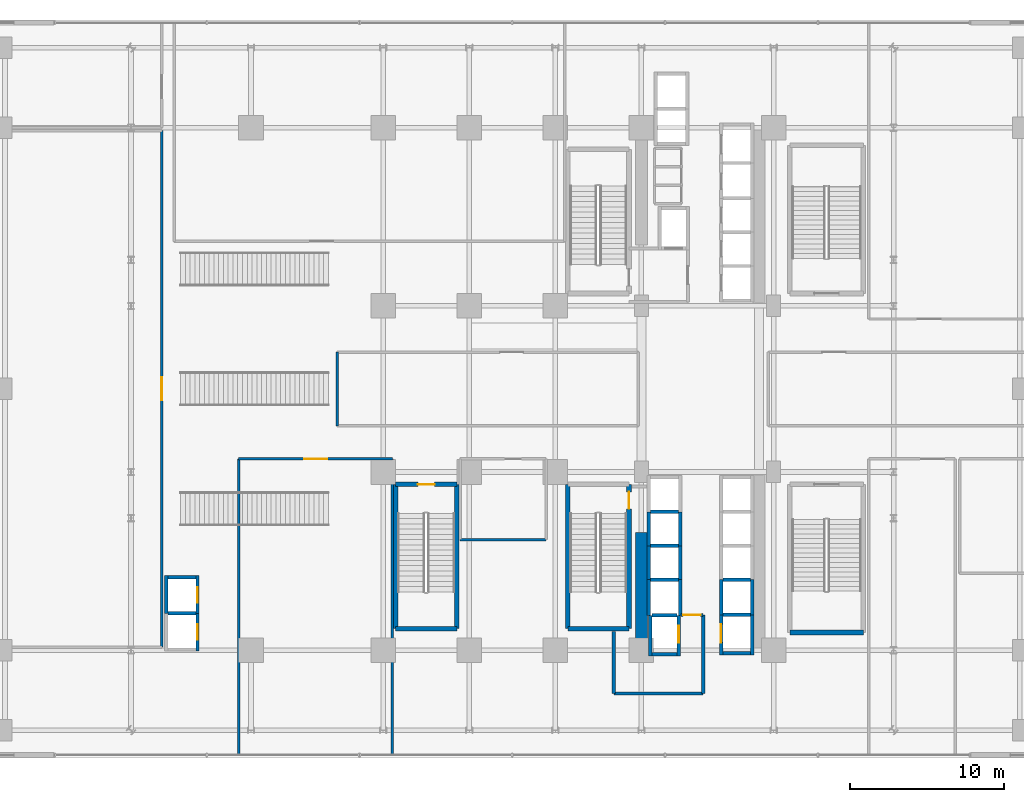
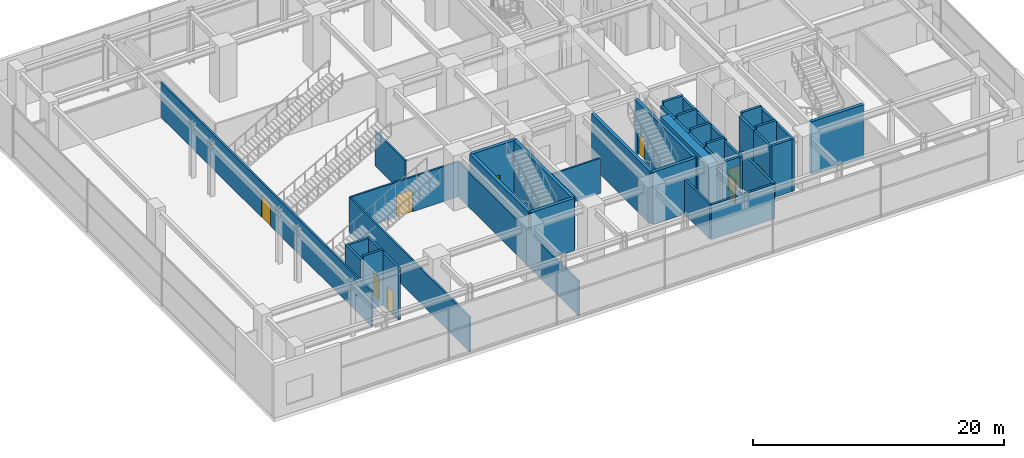
# One storey, part 27 of 34: 44 walls, 9 doors, 9 openings.
"""IFC4 building model written with IfcOpenShell, lengths in metres."""

from ifc_helpers import new_model, si_unit, direction, frame, frame_2d, origin, place, context, subcontext, project, spatial, rectangle, extrude, source, transform, mapped, material, layer, layer_set, type_object, element, fill, save


model = new_model("IFC4")

# Units and contexts
model_context = context("Model", 3, precision=1e-05, world=origin(), true_north=direction((0.0, 1.0)))
body_context = subcontext(model_context, "Body", "Model", "MODEL_VIEW")
ifc_project = project(units=[si_unit("LENGTHUNIT", "METRE"), si_unit("AREAUNIT", "SQUARE_METRE"), si_unit("VOLUMEUNIT", "CUBIC_METRE"), si_unit("PLANEANGLEUNIT", "RADIAN"), si_unit("MASSUNIT", "GRAM", prefix="KILO")], contexts=[model_context])

# Site, building, storey
site_placement = place(None, origin())
site = spatial("IfcSite", under=ifc_project, at=site_placement, CompositionType="ELEMENT")
building_placement = place(site_placement, origin())
building = spatial("IfcBuilding", under=site, at=building_placement, Name="Nahalor Promenade Grand Hotel", CompositionType="ELEMENT")
storey_placement = place(building_placement, frame((0.0, 0.0, 16.199951171875)))
storey = spatial("IfcBuildingStorey", under=building, at=storey_placement, Name="L03", CompositionType="ELEMENT", Elevation=16.199951171875)

# Walls
ifc_material_1 = material(Name="Concrete B-70 (C60/75)", Category="concrete")
ifc_layer_1 = layer(ifc_material_1, 0.800048828125)
ifc_layer_set_1 = layer_set([ifc_layer_1], Name="Concrete B-70 (C60/75)")
wall_type_1 = type_object("IfcWallType", Name="Wall-CoreShear-800", PredefinedType="SHEAR", material=ifc_layer_set_1)
shared_shape_1 = source(origin(), body_context, "Body", "SweptSolid", [
    extrude(rectangle(XDim=7.64990234375, YDim=0.800048828125, at=frame_2d((3.824951171875, 0.0))), origin(), (0.0, 0.0, 1.0), 5.080078125),
])
wall_1_placement = place(storey_placement, frame((8.39990234375, -17.0, 0.0), z_axis=(0.0, 0.0, 1.0), x_axis=(0.0, 1.0, 0.0)))
element("IfcWall", 1, at=wall_1_placement, inside=storey, type_object=wall_type_1, Name="CWALL-L03-SW", PredefinedType="SHEAR", context=body_context, shape_type="MappedRepresentation", body=[
    mapped(shared_shape_1, transform((0.0, 0.0, 0.0), scale=1.0)),
])
ifc_material_2 = material(Name="Concrete B-50 (C40/50)", Category="concrete")
ifc_layer_2 = layer(ifc_material_2, 0.300048828125)
ifc_layer_set_2 = layer_set([ifc_layer_2], Name="Concrete B-50 (C40/50)")
wall_type_2 = type_object("IfcWallType", Name="Wall-ShaftShear-300", PredefinedType="SHEAR", material=ifc_layer_set_2)
shared_shape_2 = source(origin(), body_context, "Body", "SweptSolid", [
    extrude(rectangle(XDim=3.97998046875, YDim=0.300048828125, at=frame_2d((1.989990234375, 0.0))), origin(), (0.0, 0.0, 1.0), 5.080078125),
])
for number, where, z_axis, x_axis, name in (
    (2, (3.610107421875, -15.590087890625, 0.0), (0.0, 0.0, 1.0), (1.0, 0.0, 0.0), "L03 Exit Stair ST2 Shaft Wall S"),
    (3, (-7.590087890625, -15.590087890625, 0.0), (0.0, 0.0, 1.0), (1.0, 0.0, 0.0), "L03 Exit Stair ST3 Shaft Wall S"),
):
    element("IfcWall", number, at=place(storey_placement, frame(where, z_axis=z_axis, x_axis=x_axis)), inside=storey, type_object=wall_type_2, Name=name, PredefinedType="SHEAR", context=body_context, shape_type="MappedRepresentation", body=[
        mapped(shared_shape_2, transform((0.0, 0.0, 0.0), scale=1.0)),
    ])

# Wall, opening, door
wall_2_placement = place(storey_placement, frame((-7.590087890625, -6.2099609375, 0.0), z_axis=(0.0, 0.0, 1.0), x_axis=(1.0, 0.0, 0.0)))
wall_2 = element("IfcWall", 4, at=wall_2_placement, inside=storey, type_object=wall_type_2, Name="L03 Exit Stair ST3 Shaft Wall N", PredefinedType="SHEAR", context=body_context, shape_type="MappedRepresentation", body=[
    mapped(shared_shape_2, transform((0.0, 0.0, 0.0), scale=1.0)),
])
opening_1_placement = place(wall_2_placement, frame((1.43994140625, 0.0, 0.0)))
opening_1 = element("IfcOpeningElement", 5, at=opening_1_placement, cuts=wall_2, Name="Opening D-ST1", PredefinedType="OPENING", context=body_context, shape_type="SweptSolid", body=[
    extrude(rectangle(XDim=1.10009765625, YDim=2.14990234375, at=frame_2d((0.550048828125, 1.074951171875))), frame((0.0, 0.159912109375, 0.0), z_axis=(0.0, -1.0, 0.0), x_axis=(1.0, 0.0, 0.0)), (0.0, 0.0, 1.0), 0.320068359375),
])
ifc_material_3 = material(Name="Steel S355JR", Category="steel")
door_type_1 = type_object("IfcDoorType", Name="Door-StairFire-1100", OperationType="NOTDEFINED", PredefinedType="DOOR", material=ifc_material_3)
shared_shape_3 = source(origin(), body_context, "Body", "SweptSolid", [
    extrude(rectangle(XDim=1.10009765625, YDim=2.14990234375, at=frame_2d((0.550048828125, 1.074951171875))), frame((0.0, 0.02490234375, 0.0), z_axis=(0.0, -1.0, 0.0), x_axis=(1.0, 0.0, 0.0)), (0.0, 0.0, 1.0), 0.050048828125),
])
door_1_placement = place(opening_1_placement, frame((1.10009765625, 0.0, 0.0), z_axis=(0.0, 0.0, 1.0), x_axis=(-1.0, 0.0, 0.0)))
door_1 = element("IfcDoor", 6, at=door_1_placement, inside=storey, type_object=door_type_1, Name="DR-STAIR-ST3-L03", OperationType="SINGLE_SWING_RIGHT", OverallHeight=2.14990234375, OverallWidth=1.10009765625, PredefinedType="DOOR", context=body_context, shape_type="MappedRepresentation", body=[
    mapped(shared_shape_3, transform((0.0, 0.0, 0.0), scale=1.0)),
])
fill(opening_1, door_1)

# Wall
shared_shape_4 = source(origin(), body_context, "Body", "SweptSolid", [
    extrude(rectangle(XDim=9.380126953125, YDim=0.300048828125, at=frame_2d((4.68994140625, 0.0))), origin(), (0.0, 0.0, 1.0), 5.080078125),
])
wall_3_placement = place(storey_placement, frame((3.610107421875, -15.590087890625, 0.0), z_axis=(0.0, 0.0, 1.0), x_axis=(0.0, 1.0, 0.0)))
element("IfcWall", 7, at=wall_3_placement, inside=storey, type_object=wall_type_2, Name="L03 Exit Stair ST2 Shaft Wall W", PredefinedType="SHEAR", context=body_context, shape_type="MappedRepresentation", body=[
    mapped(shared_shape_4, transform((0.0, 0.0, 0.0), scale=1.0)),
])

# Wall, opening, door
wall_4_placement = place(storey_placement, frame((7.590087890625, -15.590087890625, 0.0), z_axis=(0.0, 0.0, 1.0), x_axis=(0.0, 1.0, 0.0)))
wall_4 = element("IfcWall", 8, at=wall_4_placement, inside=storey, type_object=wall_type_2, Name="L03 Exit Stair ST2 Shaft Wall E", PredefinedType="SHEAR", context=body_context, shape_type="MappedRepresentation", body=[
    mapped(shared_shape_4, transform((0.0, 0.0, 0.0), scale=1.0)),
])
opening_2_placement = place(wall_4_placement, frame((7.7900390625, 0.0, 0.0)))
opening_2 = element("IfcOpeningElement", 9, at=opening_2_placement, cuts=wall_4, Name="Opening D-ST1", PredefinedType="OPENING", context=body_context, shape_type="SweptSolid", body=[
    extrude(rectangle(XDim=1.10009765625, YDim=2.14990234375, at=frame_2d((0.550048828125, 1.074951171875))), frame((0.0, 0.159912109375, 0.0), z_axis=(0.0, -1.0, 0.0), x_axis=(1.0, 0.0, 0.0)), (0.0, 0.0, 1.0), 0.320068359375),
])
door_2_placement = place(opening_2_placement, origin())
door_2 = element("IfcDoor", 10, at=door_2_placement, inside=storey, type_object=door_type_1, Name="DR-STAIR-ST2-L03", OperationType="SINGLE_SWING_RIGHT", OverallHeight=2.14990234375, OverallWidth=1.10009765625, PredefinedType="DOOR", context=body_context, shape_type="MappedRepresentation", body=[
    mapped(shared_shape_3, transform((0.0, 0.0, 0.0), scale=1.0)),
])
fill(opening_2, door_2)

# Walls
for number, where, z_axis, x_axis, name in (
    (11, (-7.590087890625, -15.590087890625, 0.0), (0.0, 0.0, 1.0), (0.0, 1.0, 0.0), "L03 Exit Stair ST3 Shaft Wall W"),
    (12, (-3.610107421875, -15.590087890625, 0.0), (0.0, 0.0, 1.0), (0.0, 1.0, 0.0), "L03 Exit Stair ST3 Shaft Wall E"),
):
    element("IfcWall", number, at=place(storey_placement, frame(where, z_axis=z_axis, x_axis=x_axis)), inside=storey, type_object=wall_type_2, Name=name, PredefinedType="SHEAR", context=body_context, shape_type="MappedRepresentation", body=[
        mapped(shared_shape_4, transform((0.0, 0.0, 0.0), scale=1.0)),
    ])
shared_shape_5 = source(origin(), body_context, "Body", "SweptSolid", [
    extrude(rectangle(XDim=4.780029296875, YDim=0.300048828125, at=frame_2d((2.39013671875, 0.0))), origin(), (0.0, 0.0, 1.0), 5.080078125),
])
wall_5_placement = place(storey_placement, frame((18.06005859375, -15.840087890625, 0.0), z_axis=(0.0, 0.0, 1.0), x_axis=(1.0, 0.0, 0.0)))
element("IfcWall", 13, at=wall_5_placement, inside=storey, type_object=wall_type_2, Name="L03 Exit Stair ST5 Shaft Wall S", PredefinedType="SHEAR", context=body_context, shape_type="MappedRepresentation", body=[
    mapped(shared_shape_5, transform((0.0, 0.0, 0.0), scale=1.0)),
])
ifc_layer_3 = layer(ifc_material_2, 0.219970703125)
ifc_layer_set_3 = layer_set([ifc_layer_3], Name="Concrete B-50 (C40/50)")
wall_type_3 = type_object("IfcWallType", Name="Wall-LiftShaft-220", PredefinedType="SHEAR", material=ifc_layer_set_3)
shared_shape_6 = source(origin(), body_context, "Body", "SweptSolid", [
    extrude(rectangle(XDim=1.820068359375, YDim=0.219970703125, at=frame_2d((0.91015625, 0.0))), origin(), (0.0, 0.0, 1.0), 5.080078125),
])
wall_6_placement = place(storey_placement, frame((13.68994140625, -17.199951171875, 0.0), z_axis=(0.0, 0.0, 1.0), x_axis=(1.0, 0.0, 0.0)))
element("IfcWall", 14, at=wall_6_placement, inside=storey, type_object=wall_type_3, Name="L03 Lift SV2 Hoistway Wall S", PredefinedType="SHEAR", context=body_context, shape_type="MappedRepresentation", body=[
    mapped(shared_shape_6, transform((0.0, 0.0, 0.0), scale=1.0)),
])
shared_shape_7 = source(origin(), body_context, "Body", "SweptSolid", [
    extrude(rectangle(XDim=1.820068359375, YDim=0.219970703125, at=frame_2d((0.91015625, 0.0))), origin(), (0.0, 0.0, 1.0), 5.400146484375),
])
for number, where, z_axis, x_axis, name in (
    (15, (13.68994140625, -12.39990234375, 0.0), (0.0, 0.0, 1.0), (1.0, 0.0, 0.0), "L03 Lift PL8 Hoistway Wall N"),
    (16, (8.989990234375, -8.0, 0.0), (0.0, 0.0, 1.0), (1.0, 0.0, 0.0), "L03 Lift PL10 Hoistway Wall N"),
    (17, (8.989990234375, -10.199951171875, 0.0), (0.0, 0.0, 1.0), (1.0, 0.0, 0.0), "L03 Lift PL11 Hoistway Wall N"),
    (18, (8.989990234375, -12.39990234375, 0.0), (0.0, 0.0, 1.0), (1.0, 0.0, 0.0), "L03 Lift PL12 Hoistway Wall N"),
    (19, (13.68994140625, -14.699951171875, 0.0), (0.0, 0.0, 1.0), (1.0, 0.0, 0.0), "L03 Lift SV2 Hoistway Wall N"),
):
    element("IfcWall", number, at=place(storey_placement, frame(where, z_axis=z_axis, x_axis=x_axis)), inside=storey, type_object=wall_type_3, Name=name, PredefinedType="SHEAR", context=body_context, shape_type="MappedRepresentation", body=[
        mapped(shared_shape_7, transform((0.0, 0.0, 0.0), scale=1.0)),
    ])
shared_shape_8 = source(origin(), body_context, "Body", "SweptSolid", [
    extrude(rectangle(XDim=2.199951171875, YDim=0.219970703125, at=frame_2d((1.10009765625, 0.0))), origin(), (0.0, 0.0, 1.0), 5.080078125),
])
for number, where, z_axis, x_axis, name in (
    (20, (8.8798828125, -10.199951171875, 0.0), (0.0, 0.0, 1.0), (0.0, 1.0, 0.0), "L03 Lift PL10 Hoistway Wall W"),
    (21, (10.919921875, -10.199951171875, 0.0), (0.0, 0.0, 1.0), (0.0, 1.0, 0.0), "L03 Lift PL10 Hoistway Wall E"),
    (22, (8.8798828125, -12.39990234375, 0.0), (0.0, 0.0, 1.0), (0.0, 1.0, 0.0), "L03 Lift PL11 Hoistway Wall W"),
    (23, (10.919921875, -12.39990234375, 0.0), (0.0, 0.0, 1.0), (0.0, 1.0, 0.0), "L03 Lift PL11 Hoistway Wall E"),
):
    element("IfcWall", number, at=place(storey_placement, frame(where, z_axis=z_axis, x_axis=x_axis)), inside=storey, type_object=wall_type_3, Name=name, PredefinedType="SHEAR", context=body_context, shape_type="MappedRepresentation", body=[
        mapped(shared_shape_8, transform((0.0, 0.0, 0.0), scale=1.0)),
    ])
shared_shape_9 = source(origin(), body_context, "Body", "SweptSolid", [
    extrude(rectangle(XDim=2.300048828125, YDim=0.219970703125, at=frame_2d((1.14990234375, 0.0))), origin(), (0.0, 0.0, 1.0), 5.080078125),
])
for number, where, z_axis, x_axis, name in (
    (24, (13.580078125, -14.699951171875, 0.0), (0.0, 0.0, 1.0), (0.0, 1.0, 0.0), "L03 Lift PL8 Hoistway Wall W"),
    (25, (15.6201171875, -14.699951171875, 0.0), (0.0, 0.0, 1.0), (0.0, 1.0, 0.0), "L03 Lift PL8 Hoistway Wall E"),
):
    element("IfcWall", number, at=place(storey_placement, frame(where, z_axis=z_axis, x_axis=x_axis)), inside=storey, type_object=wall_type_3, Name=name, PredefinedType="SHEAR", context=body_context, shape_type="MappedRepresentation", body=[
        mapped(shared_shape_9, transform((0.0, 0.0, 0.0), scale=1.0)),
    ])
shared_shape_10 = source(origin(), body_context, "Body", "SweptSolid", [
    extrude(rectangle(XDim=2.3251953125, YDim=0.219970703125, at=frame_2d((1.16259765625, 0.0))), origin(), (0.0, 0.0, 1.0), 5.080078125),
])
for number, where, z_axis, x_axis, name in (
    (26, (8.8798828125, -14.72509765625, 0.0), (0.0, 0.0, 1.0), (0.0, 1.0, 0.0), "L03 Lift PL12 Hoistway Wall W"),
    (27, (10.919921875, -14.72509765625, 0.0), (0.0, 0.0, 1.0), (0.0, 1.0, 0.0), "L03 Lift PL12 Hoistway Wall E"),
):
    element("IfcWall", number, at=place(storey_placement, frame(where, z_axis=z_axis, x_axis=x_axis)), inside=storey, type_object=wall_type_3, Name=name, PredefinedType="SHEAR", context=body_context, shape_type="MappedRepresentation", body=[
        mapped(shared_shape_10, transform((0.0, 0.0, 0.0), scale=1.0)),
    ])
shared_shape_11 = source(origin(), body_context, "Body", "SweptSolid", [
    extrude(rectangle(XDim=1.619873046875, YDim=0.219970703125, at=frame_2d((0.81005859375, 0.0))), origin(), (0.0, 0.0, 1.0), 5.400146484375),
])
wall_7_placement = place(storey_placement, frame((9.090087890625, -14.72509765625, 0.0), z_axis=(0.0, 0.0, 1.0), x_axis=(1.0, 0.0, 0.0)))
element("IfcWall", 28, at=wall_7_placement, inside=storey, type_object=wall_type_3, Name="L03 Lift FL2 Hoistway Wall N", PredefinedType="SHEAR", context=body_context, shape_type="MappedRepresentation", body=[
    mapped(shared_shape_11, transform((0.0, 0.0, 0.0), scale=1.0)),
])
shared_shape_12 = source(origin(), body_context, "Body", "SweptSolid", [
    extrude(rectangle(XDim=2.635009765625, YDim=0.219970703125, at=frame_2d((1.3173828125, 0.0))), origin(), (0.0, 0.0, 1.0), 5.080078125),
])
wall_8_placement = place(storey_placement, frame((8.97998046875, -17.360107421875, 0.0), z_axis=(0.0, 0.0, 1.0), x_axis=(0.0, 1.0, 0.0)))
element("IfcWall", 29, at=wall_8_placement, inside=storey, type_object=wall_type_3, Name="L03 Lift FL2 Hoistway Wall W", PredefinedType="SHEAR", context=body_context, shape_type="MappedRepresentation", body=[
    mapped(shared_shape_12, transform((0.0, 0.0, 0.0), scale=1.0)),
])

# Wall, opening, door
wall_9_placement = place(storey_placement, frame((10.820068359375, -17.360107421875, 0.0), z_axis=(0.0, 0.0, 1.0), x_axis=(0.0, 1.0, 0.0)))
wall_9 = element("IfcWall", 30, at=wall_9_placement, inside=storey, type_object=wall_type_3, Name="L03 Lift FL2 Hoistway Wall E", PredefinedType="SHEAR", context=body_context, shape_type="MappedRepresentation", body=[
    mapped(shared_shape_12, transform((0.0, 0.0, 0.0), scale=1.0)),
])
opening_3_placement = place(wall_9_placement, frame((0.860107421875, 0.0, 0.0)))
opening_3 = element("IfcOpeningElement", 31, at=opening_3_placement, cuts=wall_9, Name="Opening LD-02", PredefinedType="OPENING", context=body_context, shape_type="SweptSolid", body=[
    extrude(rectangle(XDim=1.10009765625, YDim=2.199951171875, at=frame_2d((0.550048828125, 1.10009765625))), frame((0.0, 0.119873046875, 0.0), z_axis=(0.0, -1.0, 0.0), x_axis=(1.0, 0.0, 0.0)), (0.0, 0.0, 1.0), 0.239990234375),
])
door_type_2 = type_object("IfcDoorType", Name="Door-LiftFF-1100", OperationType="DOUBLE_DOOR_SLIDING", PredefinedType="DOOR", material=ifc_material_3)
shared_shape_13 = source(origin(), body_context, "Body", "SweptSolid", [
    extrude(rectangle(XDim=1.10009765625, YDim=2.199951171875, at=frame_2d((0.550048828125, 1.10009765625))), frame((0.0, 0.02490234375, 0.0), z_axis=(0.0, -1.0, 0.0), x_axis=(1.0, 0.0, 0.0)), (0.0, 0.0, 1.0), 0.050048828125),
])
door_3_placement = place(opening_3_placement, frame((1.10009765625, 0.0, 0.0), z_axis=(0.0, 0.0, 1.0), x_axis=(-1.0, 0.0, 0.0)))
door_3 = element("IfcDoor", 32, at=door_3_placement, inside=storey, type_object=door_type_2, Name="DR-LIFT-FL2-L03", OperationType="DOUBLE_DOOR_SLIDING", OverallHeight=2.199951171875, OverallWidth=1.10009765625, PredefinedType="DOOR", context=body_context, shape_type="MappedRepresentation", body=[
    mapped(shared_shape_13, transform((0.0, 0.0, 0.0), scale=1.0)),
])
fill(opening_3, door_3)

# Wall
shared_shape_14 = source(origin(), body_context, "Body", "SweptSolid", [
    extrude(rectangle(XDim=1.619873046875, YDim=0.219970703125, at=frame_2d((0.81005859375, 0.0))), origin(), (0.0, 0.0, 1.0), 5.080078125),
])
wall_10_placement = place(storey_placement, frame((9.090087890625, -17.25, 0.0), z_axis=(0.0, 0.0, 1.0), x_axis=(1.0, 0.0, 0.0)))
element("IfcWall", 33, at=wall_10_placement, inside=storey, type_object=wall_type_3, Name="L03 Lift FL2 Hoistway Wall S", PredefinedType="SHEAR", context=body_context, shape_type="MappedRepresentation", body=[
    mapped(shared_shape_14, transform((0.0, 0.0, 0.0), scale=1.0)),
])

# Wall, opening, door
shared_shape_15 = source(origin(), body_context, "Body", "SweptSolid", [
    extrude(rectangle(XDim=2.610107421875, YDim=0.219970703125, at=frame_2d((1.30517578125, 0.0))), origin(), (0.0, 0.0, 1.0), 5.080078125),
])
wall_11_placement = place(storey_placement, frame((13.580078125, -17.31005859375, 0.0), z_axis=(0.0, 0.0, 1.0), x_axis=(0.0, 1.0, 0.0)))
wall_11 = element("IfcWall", 34, at=wall_11_placement, inside=storey, type_object=wall_type_3, Name="L03 Lift SV2 Hoistway Wall W", PredefinedType="SHEAR", context=body_context, shape_type="MappedRepresentation", body=[
    mapped(shared_shape_15, transform((0.0, 0.0, 0.0), scale=1.0)),
])
opening_4_placement = place(wall_11_placement, frame((0.81005859375, 0.0, 0.0)))
opening_4 = element("IfcOpeningElement", 35, at=opening_4_placement, cuts=wall_11, Name="Opening LD-03", PredefinedType="OPENING", context=body_context, shape_type="SweptSolid", body=[
    extrude(rectangle(XDim=1.199951171875, YDim=2.199951171875, at=frame_2d((0.60009765625, 1.10009765625))), frame((0.0, 0.119873046875, 0.0), z_axis=(0.0, -1.0, 0.0), x_axis=(1.0, 0.0, 0.0)), (0.0, 0.0, 1.0), 0.239990234375),
])
door_type_3 = type_object("IfcDoorType", Name="Door-LiftService-1200", OperationType="DOUBLE_DOOR_SLIDING", PredefinedType="DOOR", material=ifc_material_3)
shared_shape_16 = source(origin(), body_context, "Body", "SweptSolid", [
    extrude(rectangle(XDim=1.199951171875, YDim=2.199951171875, at=frame_2d((0.60009765625, 1.10009765625))), frame((0.0, 0.02490234375, 0.0), z_axis=(0.0, -1.0, 0.0), x_axis=(1.0, 0.0, 0.0)), (0.0, 0.0, 1.0), 0.050048828125),
])
door_4_placement = place(opening_4_placement, origin())
door_4 = element("IfcDoor", 36, at=door_4_placement, inside=storey, type_object=door_type_3, Name="DR-LIFT-SV2-L03", OperationType="DOUBLE_DOOR_SLIDING", OverallHeight=2.199951171875, OverallWidth=1.199951171875, PredefinedType="DOOR", context=body_context, shape_type="MappedRepresentation", body=[
    mapped(shared_shape_16, transform((0.0, 0.0, 0.0), scale=1.0)),
])
fill(opening_4, door_4)

# Walls
wall_12_placement = place(storey_placement, frame((15.6201171875, -17.31005859375, 0.0), z_axis=(0.0, 0.0, 1.0), x_axis=(0.0, 1.0, 0.0)))
element("IfcWall", 37, at=wall_12_placement, inside=storey, type_object=wall_type_3, Name="L03 Lift SV2 Hoistway Wall E", PredefinedType="SHEAR", context=body_context, shape_type="MappedRepresentation", body=[
    mapped(shared_shape_15, transform((0.0, 0.0, 0.0), scale=1.0)),
])
shared_shape_17 = source(origin(), body_context, "Body", "SweptSolid", [
    extrude(rectangle(XDim=1.81982421875, YDim=0.219970703125, at=frame_2d((0.909912109375, 0.0))), origin(), (0.0, 0.0, 1.0), 5.400146484375),
])
wall_13_placement = place(storey_placement, frame((-22.409912109375, -14.60009765625, 0.0), z_axis=(0.0, 0.0, 1.0), x_axis=(1.0, 0.0, 0.0)))
element("IfcWall", 38, at=wall_13_placement, inside=storey, type_object=wall_type_3, Name="L03 Lift PD1 Hoistway Wall N", PredefinedType="SHEAR", context=body_context, shape_type="MappedRepresentation", body=[
    mapped(shared_shape_17, transform((0.0, 0.0, 0.0), scale=1.0)),
])

# Wall, opening, door
shared_shape_18 = source(origin(), body_context, "Body", "SweptSolid", [
    extrude(rectangle(XDim=2.4599609375, YDim=0.219970703125, at=frame_2d((1.22998046875, 0.0))), origin(), (0.0, 0.0, 1.0), 5.080078125),
])
wall_14_placement = place(storey_placement, frame((-20.47998046875, -17.06005859375, 0.0), z_axis=(0.0, 0.0, 1.0), x_axis=(0.0, 1.0, 0.0)))
wall_14 = element("IfcWall", 39, at=wall_14_placement, inside=storey, type_object=wall_type_3, Name="L03 Lift PD1 Hoistway Wall E", PredefinedType="SHEAR", context=body_context, shape_type="MappedRepresentation", body=[
    mapped(shared_shape_18, transform((0.0, 0.0, 0.0), scale=1.0)),
])
opening_5_placement = place(wall_14_placement, frame((0.760009765625, 0.0, 0.0)))
opening_5 = element("IfcOpeningElement", 40, at=opening_5_placement, cuts=wall_14, Name="Opening LD-01", PredefinedType="OPENING", context=body_context, shape_type="SweptSolid", body=[
    extrude(rectangle(XDim=1.0, YDim=2.199951171875, at=frame_2d((0.5, 1.10009765625))), frame((0.0, 0.119873046875, 0.0), z_axis=(0.0, -1.0, 0.0), x_axis=(1.0, 0.0, 0.0)), (0.0, 0.0, 1.0), 0.239990234375),
])
door_type_4 = type_object("IfcDoorType", Name="Door-LiftLanding-1000", OperationType="DOUBLE_DOOR_SLIDING", PredefinedType="DOOR", material=ifc_material_3)
shared_shape_19 = source(origin(), body_context, "Body", "SweptSolid", [
    extrude(rectangle(XDim=1.0, YDim=2.199951171875, at=frame_2d((0.5, 1.10009765625))), frame((0.0, 0.02490234375, 0.0), z_axis=(0.0, -1.0, 0.0), x_axis=(1.0, 0.0, 0.0)), (0.0, 0.0, 1.0), 0.050048828125),
])
door_5_placement = place(opening_5_placement, frame((1.0, 0.0, 0.0), z_axis=(0.0, 0.0, 1.0), x_axis=(-1.0, 0.0, 0.0)))
door_5 = element("IfcDoor", 41, at=door_5_placement, inside=storey, type_object=door_type_4, Name="DR-LIFT-PD1-L03", OperationType="DOUBLE_DOOR_SLIDING", OverallHeight=2.199951171875, OverallWidth=1.0, PredefinedType="DOOR", context=body_context, shape_type="MappedRepresentation", body=[
    mapped(shared_shape_19, transform((0.0, 0.0, 0.0), scale=1.0)),
])
fill(opening_5, door_5)

# Walls
shared_shape_20 = source(origin(), body_context, "Body", "SweptSolid", [
    extrude(rectangle(XDim=1.81982421875, YDim=0.219970703125, at=frame_2d((0.909912109375, 0.0))), origin(), (0.0, 0.0, 1.0), 5.080078125),
])
wall_15_placement = place(storey_placement, frame((-22.409912109375, -12.25, 0.0), z_axis=(0.0, 0.0, 1.0), x_axis=(1.0, 0.0, 0.0)))
element("IfcWall", 42, at=wall_15_placement, inside=storey, type_object=wall_type_3, Name="L03 Lift PD2 Hoistway Wall N", PredefinedType="SHEAR", context=body_context, shape_type="MappedRepresentation", body=[
    mapped(shared_shape_20, transform((0.0, 0.0, 0.0), scale=1.0)),
])
shared_shape_21 = source(origin(), body_context, "Body", "SweptSolid", [
    extrude(rectangle(XDim=2.460205078125, YDim=0.219970703125, at=frame_2d((1.22998046875, 0.0))), origin(), (0.0, 0.0, 1.0), 5.080078125),
])
wall_16_placement = place(storey_placement, frame((-22.52001953125, -14.60009765625, 0.0), z_axis=(0.0, 0.0, 1.0), x_axis=(0.0, 1.0, 0.0)))
element("IfcWall", 43, at=wall_16_placement, inside=storey, type_object=wall_type_3, Name="L03 Lift PD2 Hoistway Wall W", PredefinedType="SHEAR", context=body_context, shape_type="MappedRepresentation", body=[
    mapped(shared_shape_21, transform((0.0, 0.0, 0.0), scale=1.0)),
])

# Wall, opening, door
wall_17_placement = place(storey_placement, frame((-20.47998046875, -14.60009765625, 0.0), z_axis=(0.0, 0.0, 1.0), x_axis=(0.0, 1.0, 0.0)))
wall_17 = element("IfcWall", 44, at=wall_17_placement, inside=storey, type_object=wall_type_3, Name="L03 Lift PD2 Hoistway Wall E", PredefinedType="SHEAR", context=body_context, shape_type="MappedRepresentation", body=[
    mapped(shared_shape_21, transform((0.0, 0.0, 0.0), scale=1.0)),
])
opening_6_placement = place(wall_17_placement, frame((0.699951171875, 0.0, 0.0)))
opening_6 = element("IfcOpeningElement", 45, at=opening_6_placement, cuts=wall_17, Name="Opening LD-01", PredefinedType="OPENING", context=body_context, shape_type="SweptSolid", body=[
    extrude(rectangle(XDim=1.0, YDim=2.199951171875, at=frame_2d((0.5, 1.10009765625))), frame((0.0, 0.119873046875, 0.0), z_axis=(0.0, -1.0, 0.0), x_axis=(1.0, 0.0, 0.0)), (0.0, 0.0, 1.0), 0.239990234375),
])
door_6_placement = place(opening_6_placement, frame((1.0, 0.0, 0.0), z_axis=(0.0, 0.0, 1.0), x_axis=(-1.0, 0.0, 0.0)))
door_6 = element("IfcDoor", 46, at=door_6_placement, inside=storey, type_object=door_type_4, Name="DR-LIFT-PD2-L03", OperationType="DOUBLE_DOOR_SLIDING", OverallHeight=2.199951171875, OverallWidth=1.0, PredefinedType="DOOR", context=body_context, shape_type="MappedRepresentation", body=[
    mapped(shared_shape_19, transform((0.0, 0.0, 0.0), scale=1.0)),
])
fill(opening_6, door_6)

# Walls
ifc_material_4 = material(Name="Concrete B-40 (C32/40)", Category="concrete")
ifc_layer_4 = layer(ifc_material_4, 0.199951171875)
ifc_layer_set_4 = layer_set([ifc_layer_4], Name="Concrete B-40 (C32/40)")
wall_type_4 = type_object("IfcWallType", Name="Wall-PartFire-200", PredefinedType="PARTITIONING", material=ifc_layer_set_4)
shared_shape_22 = source(origin(), body_context, "Body", "SweptSolid", [
    extrude(rectangle(XDim=5.81982421875, YDim=0.199951171875, at=frame_2d((2.909912109375, 0.0))), origin(), (0.0, 0.0, 1.0), 3.400146484375),
])
wall_18_placement = place(storey_placement, frame((6.60009765625, -19.800048828125, 0.0), z_axis=(0.0, 0.0, 1.0), x_axis=(1.0, 0.0, 0.0)))
element("IfcWall", 47, at=wall_18_placement, inside=storey, type_object=wall_type_4, Name="W-L03-FF2-S1", PredefinedType="PARTITIONING", context=body_context, shape_type="MappedRepresentation", body=[
    mapped(shared_shape_22, transform((0.0, 0.0, 0.0), scale=1.0)),
])
shared_shape_23 = source(origin(), body_context, "Body", "SweptSolid", [
    extrude(rectangle(XDim=4.030029296875, YDim=0.199951171875, at=frame_2d((2.01513671875, 0.0))), origin(), (0.0, 0.0, 1.0), 3.400146484375),
])
wall_19_placement = place(storey_placement, frame((6.60009765625, -19.800048828125, 0.0), z_axis=(0.0, 0.0, 1.0), x_axis=(0.0, 1.0, 0.0)))
element("IfcWall", 48, at=wall_19_placement, inside=storey, type_object=wall_type_4, Name="W-L03-FF2-W1", PredefinedType="PARTITIONING", context=body_context, shape_type="MappedRepresentation", body=[
    mapped(shared_shape_23, transform((0.0, 0.0, 0.0), scale=1.0)),
])
shared_shape_24 = source(origin(), body_context, "Body", "SweptSolid", [
    extrude(rectangle(XDim=5.10009765625, YDim=0.199951171875, at=frame_2d((2.550048828125, 0.0))), origin(), (0.0, 0.0, 1.0), 3.400146484375),
])
wall_20_placement = place(storey_placement, frame((12.419921875, -19.800048828125, 0.0), z_axis=(0.0, 0.0, 1.0), x_axis=(0.0, 1.0, 0.0)))
element("IfcWall", 49, at=wall_20_placement, inside=storey, type_object=wall_type_4, Name="W-L03-FF2-E", PredefinedType="PARTITIONING", context=body_context, shape_type="MappedRepresentation", body=[
    mapped(shared_shape_24, transform((0.0, 0.0, 0.0), scale=1.0)),
])

# Wall, opening, door
shared_shape_25 = source(origin(), body_context, "Body", "SweptSolid", [
    extrude(rectangle(XDim=1.4599609375, YDim=0.199951171875, at=frame_2d((0.72998046875, 0.0))), origin(), (0.0, 0.0, 1.0), 3.400146484375),
])
wall_21_placement = place(storey_placement, frame((10.9599609375, -14.699951171875, 0.0), z_axis=(0.0, 0.0, 1.0), x_axis=(1.0, 0.0, 0.0)))
wall_21 = element("IfcWall", 50, at=wall_21_placement, inside=storey, type_object=wall_type_4, Name="W-L03-FF2-N1", PredefinedType="PARTITIONING", context=body_context, shape_type="MappedRepresentation", body=[
    mapped(shared_shape_25, transform((0.0, 0.0, 0.0), scale=1.0)),
])
opening_7_placement = place(wall_21_placement, frame((0.14501953125, 0.0, 0.0)))
opening_7 = element("IfcOpeningElement", 51, at=opening_7_placement, cuts=wall_21, Name="Opening D-FF1", PredefinedType="OPENING", context=body_context, shape_type="SweptSolid", body=[
    extrude(rectangle(XDim=1.14990234375, YDim=2.14990234375, at=frame_2d((0.574951171875, 1.074951171875))), frame((0.0, 0.10986328125, 0.0), z_axis=(0.0, -1.0, 0.0), x_axis=(1.0, 0.0, 0.0)), (0.0, 0.0, 1.0), 0.219970703125),
])
door_type_5 = type_object("IfcDoorType", Name="Door-FFLobby-1150", OperationType="NOTDEFINED", PredefinedType="DOOR", material=ifc_material_3)
shared_shape_26 = source(origin(), body_context, "Body", "SweptSolid", [
    extrude(rectangle(XDim=1.14990234375, YDim=2.14990234375, at=frame_2d((0.574951171875, 1.074951171875))), frame((0.0, 0.02490234375, 0.0), z_axis=(0.0, -1.0, 0.0), x_axis=(1.0, 0.0, 0.0)), (0.0, 0.0, 1.0), 0.050048828125),
])
door_7_placement = place(opening_7_placement, origin())
door_7 = element("IfcDoor", 52, at=door_7_placement, inside=storey, type_object=door_type_5, Name="DR-L03-FFL2", OperationType="SINGLE_SWING_LEFT", OverallHeight=2.14990234375, OverallWidth=1.14990234375, PredefinedType="DOOR", context=body_context, shape_type="MappedRepresentation", body=[
    mapped(shared_shape_26, transform((0.0, 0.0, 0.0), scale=1.0)),
])
fill(opening_7, door_7)

# Walls
ifc_material_5 = material(Name="Acoustic Mineral Gypsum", Category="gypsum")
ifc_layer_5 = layer(ifc_material_5, 0.159912109375)
ifc_layer_set_5 = layer_set([ifc_layer_5], Name="Acoustic Mineral Gypsum")
wall_type_5 = type_object("IfcWallType", Name="Wall-PartCorridor-160", PredefinedType="PARTITIONING", material=ifc_layer_set_5)
shared_shape_27 = source(origin(), body_context, "Body", "SweptSolid", [
    extrude(rectangle(XDim=19.2099609375, YDim=0.159912109375, at=frame_2d((9.60498046875, 0.0))), origin(), (0.0, 0.0, 1.0), 3.400146484375),
])
for number, where, z_axis, x_axis, name in (
    (53, (-17.800048828125, -23.760009765625, 0.0), (0.0, 0.0, 1.0), (0.0, 1.0, 0.0), "W-L03-PR07-W"),
    (54, (-7.800048828125, -23.760009765625, 0.0), (0.0, 0.0, 1.0), (0.0, 1.0, 0.0), "W-L03-PR07-E"),
):
    element("IfcWall", number, at=place(storey_placement, frame(where, z_axis=z_axis, x_axis=x_axis)), inside=storey, type_object=wall_type_5, Name=name, PredefinedType="PARTITIONING", context=body_context, shape_type="MappedRepresentation", body=[
        mapped(shared_shape_27, transform((0.0, 0.0, 0.0), scale=1.0)),
    ])

# Wall, opening, door
shared_shape_28 = source(origin(), body_context, "Body", "SweptSolid", [
    extrude(rectangle(XDim=10.0, YDim=0.159912109375, at=frame_2d((5.0, 0.0))), origin(), (0.0, 0.0, 1.0), 3.400146484375),
])
wall_22_placement = place(storey_placement, frame((-17.800048828125, -4.550048828125, 0.0), z_axis=(0.0, 0.0, 1.0), x_axis=(1.0, 0.0, 0.0)))
wall_22 = element("IfcWall", 55, at=wall_22_placement, inside=storey, type_object=wall_type_5, Name="W-L03-PR07-N", PredefinedType="PARTITIONING", context=body_context, shape_type="MappedRepresentation", body=[
    mapped(shared_shape_28, transform((0.0, 0.0, 0.0), scale=1.0)),
])
opening_8_placement = place(wall_22_placement, frame((4.25, 0.0, 0.0)))
opening_8 = element("IfcOpeningElement", 56, at=opening_8_placement, cuts=wall_22, Name="Opening D-02", PredefinedType="OPENING", context=body_context, shape_type="SweptSolid", body=[
    extrude(rectangle(XDim=1.5, YDim=2.14990234375, at=frame_2d((0.75, 1.074951171875))), frame((0.0, 0.08984375, 0.0), z_axis=(0.0, -1.0, 0.0), x_axis=(1.0, 0.0, 0.0)), (0.0, 0.0, 1.0), 0.179931640625),
])
ifc_material_6 = material(Name="Fire-Rated Timber Composite", Category="wood")
door_type_6 = type_object("IfcDoorType", Name="Door-SuiteDouble-1500", OperationType="DOUBLE_DOOR_SINGLE_SWING", PredefinedType="DOOR", material=ifc_material_6)
shared_shape_29 = source(origin(), body_context, "Body", "SweptSolid", [
    extrude(rectangle(XDim=1.5, YDim=2.14990234375, at=frame_2d((0.75, 1.074951171875))), frame((0.0, 0.02490234375, 0.0), z_axis=(0.0, -1.0, 0.0), x_axis=(1.0, 0.0, 0.0)), (0.0, 0.0, 1.0), 0.050048828125),
])
door_8_placement = place(opening_8_placement, frame((1.5, 0.0, 0.0), z_axis=(0.0, 0.0, 1.0), x_axis=(-1.0, 0.0, 0.0)))
door_8 = element("IfcDoor", 57, at=door_8_placement, inside=storey, type_object=door_type_6, Name="DR-L03-PR07", OperationType="DOUBLE_DOOR_SINGLE_SWING", OverallHeight=2.14990234375, OverallWidth=1.5, PredefinedType="DOOR", context=body_context, shape_type="MappedRepresentation", body=[
    mapped(shared_shape_29, transform((0.0, 0.0, 0.0), scale=1.0)),
])
fill(opening_8, door_8)

# Walls
shared_shape_30 = source(origin(), body_context, "Body", "SweptSolid", [
    extrude(rectangle(XDim=4.7998046875, YDim=0.159912109375, at=frame_2d((2.39990234375, 0.0))), origin(), (0.0, 0.0, 1.0), 3.400146484375),
])
wall_23_placement = place(storey_placement, frame((-11.39990234375, -2.39990234375, 0.0), z_axis=(0.0, 0.0, 1.0), x_axis=(0.0, 1.0, 0.0)))
element("IfcWall", 58, at=wall_23_placement, inside=storey, type_object=wall_type_5, Name="W-L03-PR02-W", PredefinedType="PARTITIONING", context=body_context, shape_type="MappedRepresentation", body=[
    mapped(shared_shape_30, transform((0.0, 0.0, 0.0), scale=1.0)),
])
shared_shape_31 = source(origin(), body_context, "Body", "SweptSolid", [
    extrude(rectangle(XDim=5.599853515625, YDim=0.159912109375, at=frame_2d((2.7998046875, 0.0))), origin(), (0.0, 0.0, 1.0), 3.400146484375),
])
wall_24_placement = place(storey_placement, frame((-3.39990234375, -9.800048828125, 0.0), z_axis=(0.0, 0.0, 1.0), x_axis=(1.0, 0.0, 0.0)))
element("IfcWall", 59, at=wall_24_placement, inside=storey, type_object=wall_type_5, Name="W-L03-PR10-S", PredefinedType="PARTITIONING", context=body_context, shape_type="MappedRepresentation", body=[
    mapped(shared_shape_31, transform((0.0, 0.0, 0.0), scale=1.0)),
])

# Wall, opening, door
shared_shape_32 = source(origin(), body_context, "Body", "SweptSolid", [
    extrude(rectangle(XDim=33.60009765625, YDim=0.159912109375, at=frame_2d((16.800048828125, 0.0))), origin(), (0.0, 0.0, 1.0), 3.400146484375),
])
wall_25_placement = place(storey_placement, frame((-22.800048828125, -16.800048828125, 0.0), z_axis=(0.0, 0.0, 1.0), x_axis=(0.0, 1.0, 0.0)))
wall_25 = element("IfcWall", 60, at=wall_25_placement, inside=storey, type_object=wall_type_5, Name="W-L03-PR01-E", PredefinedType="PARTITIONING", context=body_context, shape_type="MappedRepresentation", body=[
    mapped(shared_shape_32, transform((0.0, 0.0, 0.0), scale=1.0)),
])
opening_9_placement = place(wall_25_placement, frame((16.050048828125, 0.0, 0.0)))
opening_9 = element("IfcOpeningElement", 61, at=opening_9_placement, cuts=wall_25, Name="Opening D-02", PredefinedType="OPENING", context=body_context, shape_type="SweptSolid", body=[
    extrude(rectangle(XDim=1.5, YDim=2.14990234375, at=frame_2d((0.75, 1.074951171875))), frame((0.0, 0.08984375, 0.0), z_axis=(0.0, -1.0, 0.0), x_axis=(1.0, 0.0, 0.0)), (0.0, 0.0, 1.0), 0.179931640625),
])
door_9_placement = place(opening_9_placement, origin())
door_9 = element("IfcDoor", 62, at=door_9_placement, inside=storey, type_object=door_type_6, Name="DR-L03-PR01", OperationType="DOUBLE_DOOR_SINGLE_SWING", OverallHeight=2.14990234375, OverallWidth=1.5, PredefinedType="DOOR", context=body_context, shape_type="MappedRepresentation", body=[
    mapped(shared_shape_29, transform((0.0, 0.0, 0.0), scale=1.0)),
])
fill(opening_9, door_9)

save(model, "model.ifc")
